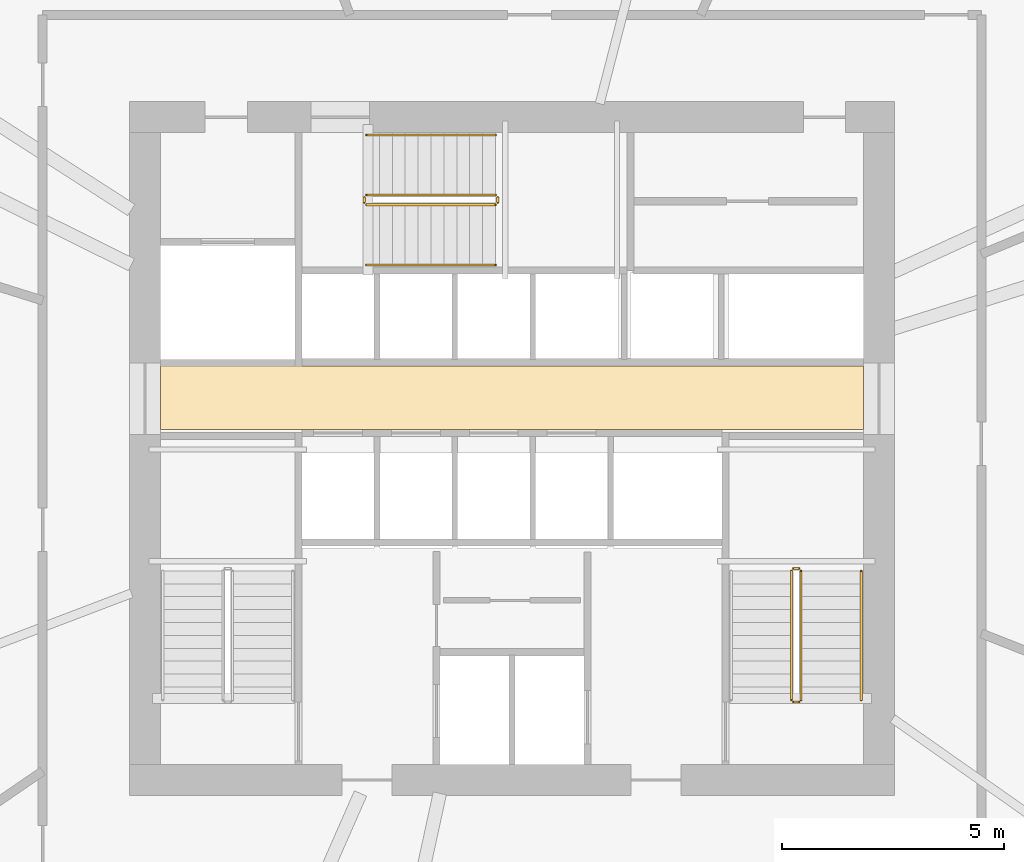
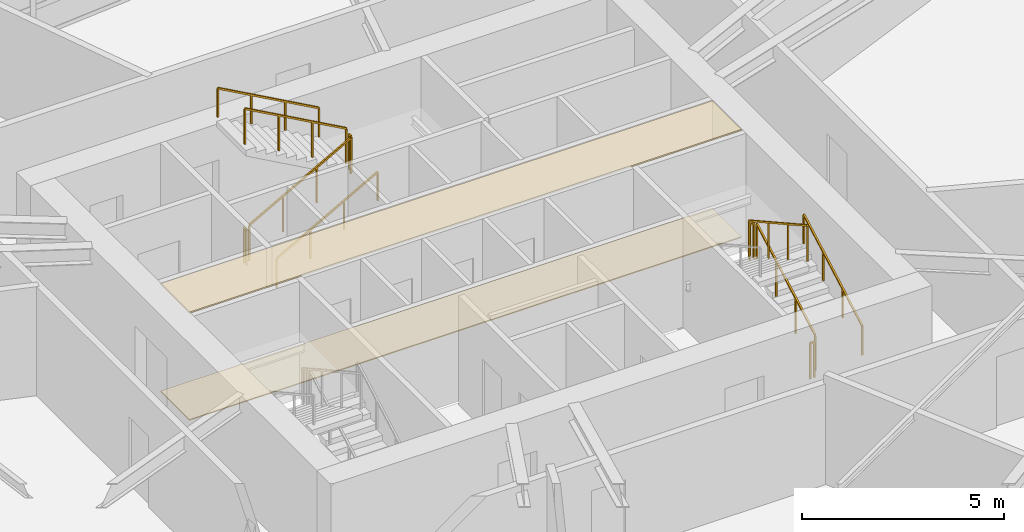
# One storey, part 16 of 17: 11 railings, 2 coverings.
"""IFC4 building model written with IfcOpenShell, lengths in metres."""

from ifc_helpers import new_model, si_unit, direction, frame, origin, origin_2d, place, context, subcontext, project, spatial, polyline, rectangle, outline, extrude, material, layer, layer_set, type_object, element, save


model = new_model("IFC4")

# Units and contexts
model_context = context("Model", 3, precision=1e-05, world=origin(), true_north=direction((0.0, 1.0)))
body_context = subcontext(model_context, "Body", "Model", "MODEL_VIEW")
ifc_project = project(units=[si_unit("LENGTHUNIT", "METRE"), si_unit("AREAUNIT", "SQUARE_METRE"), si_unit("VOLUMEUNIT", "CUBIC_METRE"), si_unit("PLANEANGLEUNIT", "RADIAN"), si_unit("MASSUNIT", "GRAM", prefix="KILO")], contexts=[model_context])

# Site, building, storey
site_placement = place(None, origin())
site = spatial("IfcSite", under=ifc_project, at=site_placement, CompositionType="ELEMENT")
building_placement = place(site_placement, origin())
building = spatial("IfcBuilding", under=site, at=building_placement, Name="Olszyna Solenne Hotel", CompositionType="ELEMENT")
storey_placement = place(building_placement, frame((0.0, 0.0, 116.35009765625)))
storey = spatial("IfcBuildingStorey", under=building, at=storey_placement, Name="L30", CompositionType="ELEMENT", Elevation=116.35009765625)

# Coverings
ifc_material_1 = material(Name="Mineral wool acoustic ceiling")
ifc_layer_1 = layer(ifc_material_1, 0.0400390625, Name="Mineral wool acoustic ceiling")
ifc_layer_set_1 = layer_set([ifc_layer_1], Name="Mineral wool acoustic ceiling")
covering_type_1 = type_object("IfcCoveringType", Name="CL-AC1", PredefinedType="CEILING", material=ifc_layer_set_1)
covering_1_placement = place(storey_placement, frame((0.0, 0.0, 3.239990234375)))
element("IfcCovering", 1, at=covering_1_placement, inside=storey, type_object=covering_type_1, Name="Lift lobby acoustic tile ceiling CL-L30-01", PredefinedType="CEILING", context=body_context, shape_type="SweptSolid", body=[
    extrude(outline(polyline([(30.10009765625, 27.030029296875), (45.89990234375, 27.030029296875), (45.89990234375, 28.4599609375), (30.10009765625, 28.4599609375), (30.10009765625, 27.030029296875)])), origin(), (0.0, 0.0, 1.0), 0.039794921875),
])
ifc_material_2 = material(Name="Ceramic floor tile")
ifc_layer_2 = layer(ifc_material_2, 0.030029296875, Name="Ceramic floor tile")
ifc_layer_set_2 = layer_set([ifc_layer_2], Name="Ceramic floor tile")
covering_type_2 = type_object("IfcCoveringType", Name="FL-TL1", PredefinedType="FLOORING", material=ifc_layer_set_2)
covering_2_placement = place(storey_placement, origin())
element("IfcCovering", 2, at=covering_2_placement, inside=storey, type_object=covering_type_2, Name="Lift lobby stoneware floor finish FLR-L30-01", PredefinedType="FLOORING", context=body_context, shape_type="SweptSolid", body=[
    extrude(outline(polyline([(30.10009765625, 27.030029296875), (45.89990234375, 27.030029296875), (45.89990234375, 28.4599609375), (30.10009765625, 28.4599609375), (30.10009765625, 27.030029296875)])), origin(), (0.0, 0.0, 1.0), 0.02978515625),
])

# Railings
ifc_material_3 = material(Name="Anodised bronze aluminium", Category="aluminium")
railing_type_1 = type_object("IfcRailingType", Name="GR-110", PredefinedType="BALUSTRADE", material=ifc_material_3)
railing_1_placement = place(storey_placement, frame((44.5, 20.949951171875, 0.161376953125)))
element("IfcRailing", 3, at=railing_1_placement, inside=storey, type_object=railing_type_1, Name="L30 ST2 stair guard 1", PredefinedType="BALUSTRADE", context=body_context, shape_type="SweptSolid", body=[
    extrude(rectangle(XDim=0.048095703125, YDim=0.048095703125, at=origin_2d()), frame((0.0, 0.0, 1.076171875), z_axis=(0.0, 0.873858693841, 0.486179990537), x_axis=(-1.0, 0.0, 0.0)), (0.0, 0.0, 1.0), 3.31884765625),
    extrude(rectangle(XDim=0.0419921875, YDim=0.0419921875, at=origin_2d()), origin(), (0.0, 0.0, 1.0), 1.052001953125),
    extrude(rectangle(XDim=0.0419921875, YDim=0.0419921875, at=origin_2d()), frame((0.0, 0.966796875, 0.537841796875)), (0.0, 0.0, 1.0), 1.052001953125),
    extrude(rectangle(XDim=0.0419921875, YDim=0.0419921875, at=origin_2d()), frame((0.0, 1.933349609375, 1.07568359375)), (0.0, 0.0, 1.0), 1.052001953125),
    extrude(rectangle(XDim=0.0419921875, YDim=0.0419921875, at=origin_2d()), frame((0.0, 2.900146484375, 1.613525390625)), (0.0, 0.0, 1.0), 1.052001953125),
])
railing_2_placement = place(storey_placement, frame((44.449951171875, 23.89990234375, 1.77490234375)))
element("IfcRailing", 4, at=railing_2_placement, inside=storey, type_object=railing_type_1, Name="L30 ST2 stair guard 2", PredefinedType="BALUSTRADE", context=body_context, shape_type="SweptSolid", body=[
    extrude(rectangle(XDim=0.048095703125, YDim=0.048095703125, at=origin_2d()), frame((0.0, 0.0, 1.076171875), z_axis=(-1.0, 0.0, 0.0), x_axis=(0.0, -1.0, 0.0)), (0.0, 0.0, 1.0), 0.119873046875),
    extrude(rectangle(XDim=0.0419921875, YDim=0.0419921875, at=origin_2d()), origin(), (0.0, 0.0, 1.0), 1.052001953125),
    extrude(rectangle(XDim=0.0419921875, YDim=0.0419921875, at=origin_2d()), frame((-0.119873046875, 0.0, 0.0)), (0.0, 0.0, 1.0), 1.052001953125),
])
railing_3_placement = place(storey_placement, frame((44.280029296875, 23.85009765625, 1.936279296875)))
element("IfcRailing", 5, at=railing_3_placement, inside=storey, type_object=railing_type_1, Name="L30 ST2 stair guard 3", PredefinedType="BALUSTRADE", context=body_context, shape_type="SweptSolid", body=[
    extrude(rectangle(XDim=0.048095703125, YDim=0.048095703125, at=origin_2d()), frame((0.0, 0.0, 1.076171875), z_axis=(0.0, -0.873858693841, 0.486179990537), x_axis=(1.0, 0.0, 0.0)), (0.0, 0.0, 1.0), 3.31884765625),
    extrude(rectangle(XDim=0.0419921875, YDim=0.0419921875, at=origin_2d()), origin(), (0.0, 0.0, 1.0), 1.052001953125),
    extrude(rectangle(XDim=0.0419921875, YDim=0.0419921875, at=origin_2d()), frame((0.0, -0.966796875, 0.537841796875)), (0.0, 0.0, 1.0), 1.052001953125),
    extrude(rectangle(XDim=0.0419921875, YDim=0.0419921875, at=origin_2d()), frame((0.0, -1.933349609375, 1.07568359375)), (0.0, 0.0, 1.0), 1.052001953125),
    extrude(rectangle(XDim=0.0419921875, YDim=0.0419921875, at=origin_2d()), frame((0.0, -2.900146484375, 1.613525390625)), (0.0, 0.0, 1.0), 1.052001953125),
])
railing_4_placement = place(storey_placement, frame((44.449951171875, 20.89990234375, 0.0)))
element("IfcRailing", 6, at=railing_4_placement, inside=storey, type_object=railing_type_1, Name="L30 ST2 stair guard 4", PredefinedType="BALUSTRADE", context=body_context, shape_type="SweptSolid", body=[
    extrude(rectangle(XDim=0.048095703125, YDim=0.048095703125, at=origin_2d()), frame((0.0, 0.0, 1.076171875), z_axis=(-1.0, 0.0, 0.0), x_axis=(0.0, -1.0, 0.0)), (0.0, 0.0, 1.0), 0.119873046875),
    extrude(rectangle(XDim=0.0419921875, YDim=0.0419921875, at=origin_2d()), origin(), (0.0, 0.0, 1.0), 1.052001953125),
    extrude(rectangle(XDim=0.0419921875, YDim=0.0419921875, at=origin_2d()), frame((-0.119873046875, 0.0, 0.0)), (0.0, 0.0, 1.0), 1.052001953125),
])
railing_5_placement = place(storey_placement, frame((34.72998046875, 32.080078125, 0.161376953125)))
element("IfcRailing", 7, at=railing_5_placement, inside=storey, type_object=railing_type_1, Name="L30 ST3 stair guard 1", PredefinedType="BALUSTRADE", context=body_context, shape_type="SweptSolid", body=[
    extrude(rectangle(XDim=0.048095703125, YDim=0.048095703125, at=origin_2d()), frame((0.0, 0.0, 1.076171875), z_axis=(0.873841303929, 0.0, 0.486211245805), x_axis=(0.0, 1.0, 0.0)), (0.0, 0.0, 1.0), 3.318603515625),
    extrude(rectangle(XDim=0.0419921875, YDim=0.0419921875, at=origin_2d()), origin(), (0.0, 0.0, 1.0), 1.052001953125),
    extrude(rectangle(XDim=0.0419921875, YDim=0.0419921875, at=origin_2d()), frame((0.966552734375, 0.0, 0.537841796875)), (0.0, 0.0, 1.0), 1.052001953125),
    extrude(rectangle(XDim=0.0419921875, YDim=0.0419921875, at=origin_2d()), frame((1.933349609375, 0.0, 1.07568359375)), (0.0, 0.0, 1.0), 1.052001953125),
    extrude(rectangle(XDim=0.0419921875, YDim=0.0419921875, at=origin_2d()), frame((2.89990234375, 0.0, 1.613525390625)), (0.0, 0.0, 1.0), 1.052001953125),
])
railing_6_placement = place(storey_placement, frame((37.679931640625, 32.1298828125, 1.77490234375)))
element("IfcRailing", 8, at=railing_6_placement, inside=storey, type_object=railing_type_1, Name="L30 ST3 stair guard 2", PredefinedType="BALUSTRADE", context=body_context, shape_type="SweptSolid", body=[
    extrude(rectangle(XDim=0.048095703125, YDim=0.048095703125, at=origin_2d()), frame((0.0, 0.0, 1.076171875), z_axis=(0.0, 1.0, 0.0), x_axis=(-1.0, 0.0, 0.0)), (0.0, 0.0, 1.0), 0.1201171875),
    extrude(rectangle(XDim=0.0419921875, YDim=0.0419921875, at=origin_2d()), origin(), (0.0, 0.0, 1.0), 1.052001953125),
    extrude(rectangle(XDim=0.0419921875, YDim=0.0419921875, at=origin_2d()), frame((0.0, 0.1201171875, 0.0)), (0.0, 0.0, 1.0), 1.052001953125),
])
railing_7_placement = place(storey_placement, frame((37.6298828125, 32.300048828125, 1.936279296875)))
element("IfcRailing", 9, at=railing_7_placement, inside=storey, type_object=railing_type_1, Name="L30 ST3 stair guard 3", PredefinedType="BALUSTRADE", context=body_context, shape_type="SweptSolid", body=[
    extrude(rectangle(XDim=0.048095703125, YDim=0.048095703125, at=origin_2d()), frame((0.0, 0.0, 1.076171875), z_axis=(-0.873841303929, 0.0, 0.486211245805), x_axis=(0.0, -1.0, 0.0)), (0.0, 0.0, 1.0), 3.318603515625),
    extrude(rectangle(XDim=0.0419921875, YDim=0.0419921875, at=origin_2d()), origin(), (0.0, 0.0, 1.0), 1.052001953125),
    extrude(rectangle(XDim=0.0419921875, YDim=0.0419921875, at=origin_2d()), frame((-0.966552734375, 0.0, 0.537841796875)), (0.0, 0.0, 1.0), 1.052001953125),
    extrude(rectangle(XDim=0.0419921875, YDim=0.0419921875, at=origin_2d()), frame((-1.933349609375, 0.0, 1.07568359375)), (0.0, 0.0, 1.0), 1.052001953125),
    extrude(rectangle(XDim=0.0419921875, YDim=0.0419921875, at=origin_2d()), frame((-2.89990234375, 0.0, 1.613525390625)), (0.0, 0.0, 1.0), 1.052001953125),
])
railing_8_placement = place(storey_placement, frame((34.679931640625, 32.1298828125, 0.0)))
element("IfcRailing", 10, at=railing_8_placement, inside=storey, type_object=railing_type_1, Name="L30 ST3 stair guard 4", PredefinedType="BALUSTRADE", context=body_context, shape_type="SweptSolid", body=[
    extrude(rectangle(XDim=0.048095703125, YDim=0.048095703125, at=origin_2d()), frame((0.0, 0.0, 1.076171875), z_axis=(0.0, 1.0, 0.0), x_axis=(-1.0, 0.0, 0.0)), (0.0, 0.0, 1.0), 0.1201171875),
    extrude(rectangle(XDim=0.0419921875, YDim=0.0419921875, at=origin_2d()), origin(), (0.0, 0.0, 1.0), 1.052001953125),
    extrude(rectangle(XDim=0.0419921875, YDim=0.0419921875, at=origin_2d()), frame((0.0, 0.1201171875, 0.0)), (0.0, 0.0, 1.0), 1.052001953125),
])
ifc_material_4 = material(Name="Steel S355J2", Category="steel")
railing_type_2 = type_object("IfcRailingType", Name="HR-090", PredefinedType="HANDRAIL", material=ifc_material_4)
railing_9_placement = place(storey_placement, frame((45.85009765625, 20.949951171875, 0.161376953125)))
element("IfcRailing", 11, at=railing_9_placement, inside=storey, type_object=railing_type_2, Name="L30 ST2 stair handrail 1", PredefinedType="HANDRAIL", context=body_context, shape_type="SweptSolid", body=[
    extrude(rectangle(XDim=0.048095703125, YDim=0.048095703125, at=origin_2d()), frame((0.0, 0.0, 0.8759765625), z_axis=(0.0, 0.873858693841, 0.486179990537), x_axis=(-1.0, 0.0, 0.0)), (0.0, 0.0, 1.0), 3.31884765625),
    extrude(rectangle(XDim=0.0419921875, YDim=0.0419921875, at=origin_2d()), origin(), (0.0, 0.0, 1.0), 0.851806640625),
    extrude(rectangle(XDim=0.0419921875, YDim=0.0419921875, at=origin_2d()), frame((0.0, 0.966796875, 0.537841796875)), (0.0, 0.0, 1.0), 0.851806640625),
    extrude(rectangle(XDim=0.0419921875, YDim=0.0419921875, at=origin_2d()), frame((0.0, 1.933349609375, 1.07568359375)), (0.0, 0.0, 1.0), 0.851806640625),
    extrude(rectangle(XDim=0.0419921875, YDim=0.0419921875, at=origin_2d()), frame((0.0, 2.900146484375, 1.613525390625)), (0.0, 0.0, 1.0), 0.851806640625),
])
railing_10_placement = place(storey_placement, frame((34.72998046875, 30.72998046875, 0.161376953125)))
element("IfcRailing", 12, at=railing_10_placement, inside=storey, type_object=railing_type_2, Name="L30 ST3 stair handrail 1", PredefinedType="HANDRAIL", context=body_context, shape_type="SweptSolid", body=[
    extrude(rectangle(XDim=0.048095703125, YDim=0.048095703125, at=origin_2d()), frame((0.0, 0.0, 0.8759765625), z_axis=(0.873841303929, 0.0, 0.486211245805), x_axis=(0.0, 1.0, 0.0)), (0.0, 0.0, 1.0), 3.318603515625),
    extrude(rectangle(XDim=0.0419921875, YDim=0.0419921875, at=origin_2d()), origin(), (0.0, 0.0, 1.0), 0.851806640625),
    extrude(rectangle(XDim=0.0419921875, YDim=0.0419921875, at=origin_2d()), frame((0.966552734375, 0.0, 0.537841796875)), (0.0, 0.0, 1.0), 0.851806640625),
    extrude(rectangle(XDim=0.0419921875, YDim=0.0419921875, at=origin_2d()), frame((1.933349609375, 0.0, 1.07568359375)), (0.0, 0.0, 1.0), 0.851806640625),
    extrude(rectangle(XDim=0.0419921875, YDim=0.0419921875, at=origin_2d()), frame((2.89990234375, 0.0, 1.613525390625)), (0.0, 0.0, 1.0), 0.851806640625),
])
railing_11_placement = place(storey_placement, frame((37.6298828125, 33.64990234375, 1.936279296875)))
element("IfcRailing", 13, at=railing_11_placement, inside=storey, type_object=railing_type_2, Name="L30 ST3 stair handrail 2", PredefinedType="HANDRAIL", context=body_context, shape_type="SweptSolid", body=[
    extrude(rectangle(XDim=0.048095703125, YDim=0.048095703125, at=origin_2d()), frame((0.0, 0.0, 0.8759765625), z_axis=(-0.873841303929, 0.0, 0.486211245805), x_axis=(0.0, -1.0, 0.0)), (0.0, 0.0, 1.0), 3.318603515625),
    extrude(rectangle(XDim=0.0419921875, YDim=0.0419921875, at=origin_2d()), origin(), (0.0, 0.0, 1.0), 0.851806640625),
    extrude(rectangle(XDim=0.0419921875, YDim=0.0419921875, at=origin_2d()), frame((-0.966552734375, 0.0, 0.537841796875)), (0.0, 0.0, 1.0), 0.851806640625),
    extrude(rectangle(XDim=0.0419921875, YDim=0.0419921875, at=origin_2d()), frame((-1.933349609375, 0.0, 1.07568359375)), (0.0, 0.0, 1.0), 0.851806640625),
    extrude(rectangle(XDim=0.0419921875, YDim=0.0419921875, at=origin_2d()), frame((-2.89990234375, 0.0, 1.613525390625)), (0.0, 0.0, 1.0), 0.851806640625),
])

save(model, "model.ifc")
